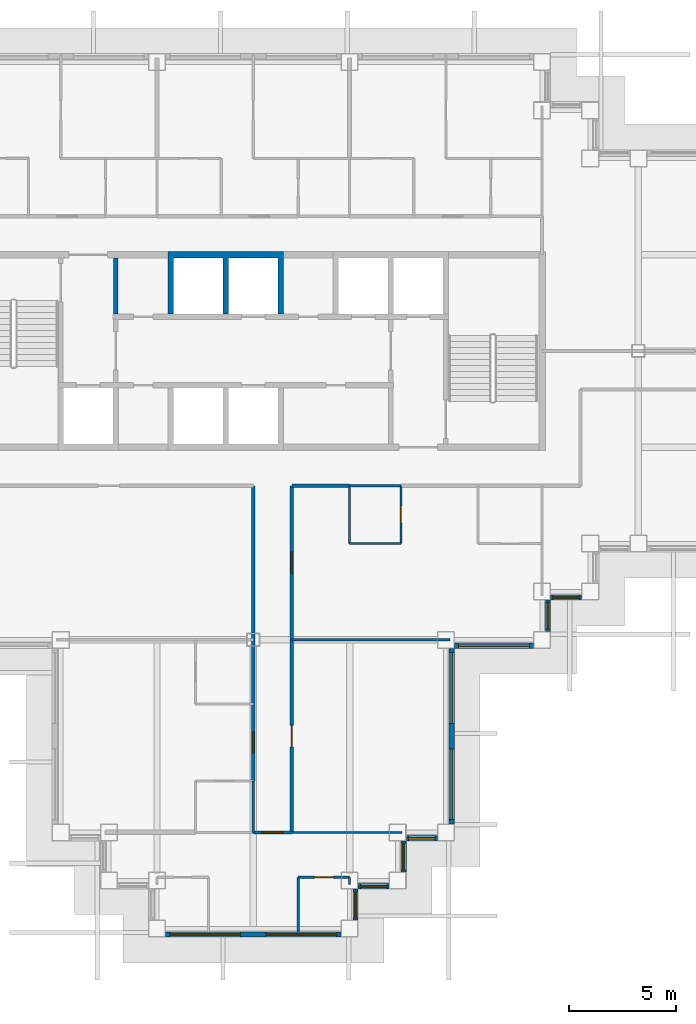
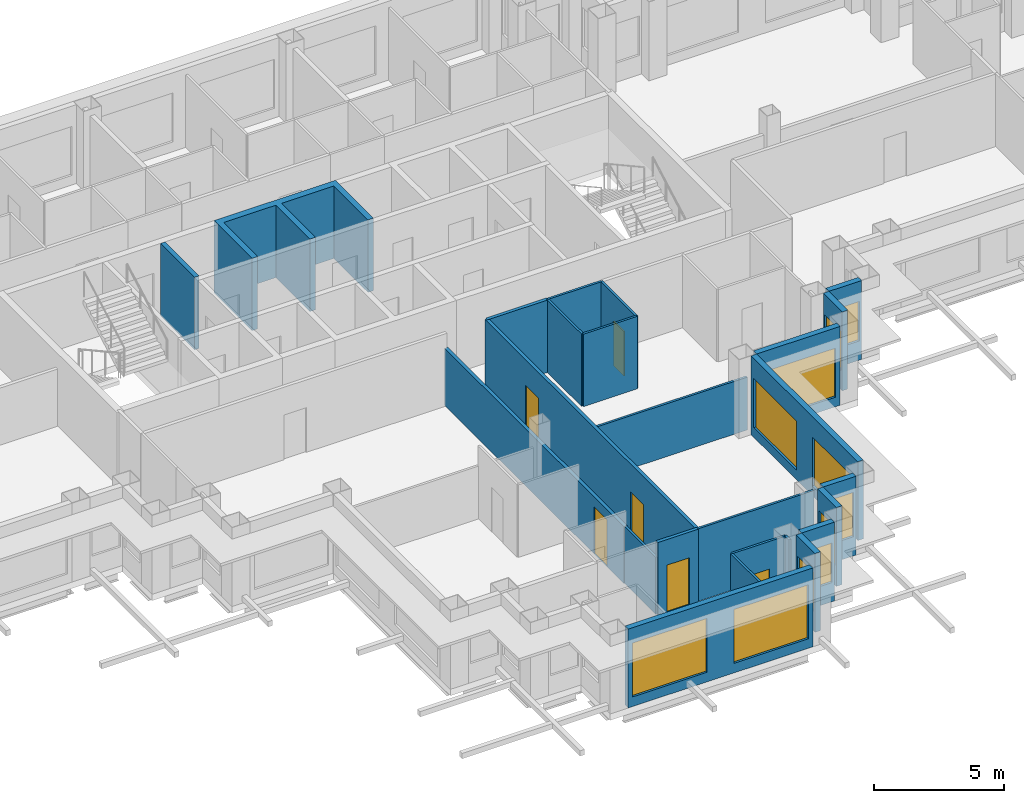
# One storey, part 5 of 14: 25 walls, 11 windows, 6 doors, 17 openings.
"""IFC4 building model written with IfcOpenShell, lengths in metres."""

import ifcopenshell
import ifcopenshell.guid

model = None  # the IFC model being written
_history = None  # IfcOwnerHistory: only IFC2X3 demands one
_inside = {}  # id of a spatial element -> (the spatial element, [elements in it])
_under = {}  # id of a project, library or spatial element -> (it, [spatial elements below it])
_declared = {}  # id of a project -> (the project, [libraries it declares])
_typed = {}  # id of a type object -> (the type object, [elements of that type])
_made_of = {}  # id of a material, layer set ... -> (it, [elements and type objects made of it])


def new_model(schema):
    """Start an empty IFC model of exactly this schema.

    Asked for "IFC4X3", IfcOpenShell would pick the latest addendum, in which some entities
    have other attributes; the version numbers below select the first issue.
    IFC2X3 requires an IfcOwnerHistory on every rooted entity: one is made here for all.
    """
    global model, _history
    if schema == "IFC4X3":
        model = ifcopenshell.file(schema_version=(4, 3, 0, 0))
    else:
        model = ifcopenshell.file(schema=schema)
    _inside.clear()
    _under.clear()
    _declared.clear()
    _typed.clear()
    _made_of.clear()
    _history = None
    if model.schema == "IFC2X3":
        org = make("IfcOrganization", Name="unknown")
        user = make(
            "IfcPersonAndOrganization",
            ThePerson=make("IfcPerson", FamilyName="unknown"),
            TheOrganization=org,
        )
        app = make(
            "IfcApplication",
            ApplicationDeveloper=org,
            Version="unknown",
            ApplicationFullName="unknown",
            ApplicationIdentifier="unknown",
        )
        _history = make(
            "IfcOwnerHistory",
            OwningUser=user,
            OwningApplication=app,
            ChangeAction="ADDED",
            CreationDate=0,
        )
    return model


def make(cls, **values):
    """One entity of the class cls with the attributes given. An attribute that is None is left unset."""
    return model.create_entity(
        cls, **{name: value for name, value in values.items() if value is not None}
    )


def rooted(cls, **values):
    """An entity with a GlobalId (a new one), such as an element, a storey or a relation."""
    return make(cls, GlobalId=ifcopenshell.guid.new(), OwnerHistory=_history, **values)


def si_unit(unit_type, name, prefix=None):
    """IfcSIUnit, for example si_unit("LENGTHUNIT", "METRE", prefix="MILLI")."""
    return make("IfcSIUnit", UnitType=unit_type, Prefix=prefix, Name=name)


def assignment(units):
    """IfcUnitAssignment: the units of a project."""
    return None if units is None else make("IfcUnitAssignment", Units=units)


def point(xyz):
    """IfcCartesianPoint."""
    return None if xyz is None else make("IfcCartesianPoint", Coordinates=xyz)


def direction(xyz):
    """IfcDirection."""
    return None if xyz is None else make("IfcDirection", DirectionRatios=xyz)


def frame(location, z_axis=None, x_axis=None):
    """IfcAxis2Placement3D, a coordinate frame: its origin and axes. An axis left out is left unset."""
    return make(
        "IfcAxis2Placement3D",
        Location=point(location),
        Axis=direction(z_axis),
        RefDirection=direction(x_axis),
    )


def frame_2d(location, x_axis=None):
    """IfcAxis2Placement2D, a coordinate frame in the plane: its origin and x axis."""
    return make(
        "IfcAxis2Placement2D", Location=point(location), RefDirection=direction(x_axis)
    )


def origin():
    """The frame at (0, 0, 0) with its axes left unset."""
    return frame((0.0, 0.0, 0.0))


def place(relative_to, where):
    """IfcLocalPlacement: puts the frame where relative to a parent placement (None: the world)."""
    return make(
        "IfcLocalPlacement", PlacementRelTo=relative_to, RelativePlacement=where
    )


def context(
    kind, dimensions, precision=None, world=None, true_north=None, identifier=None
):
    """IfcGeometricRepresentationContext, for example the 3D "Model" context."""
    return make(
        "IfcGeometricRepresentationContext",
        ContextIdentifier=identifier,
        ContextType=kind,
        CoordinateSpaceDimension=dimensions,
        Precision=precision,
        WorldCoordinateSystem=world,
        TrueNorth=true_north,
    )


def subcontext(parent, identifier, kind, view, scale=None):
    """IfcGeometricRepresentationSubContext, for example "Body" below "Model"."""
    return make(
        "IfcGeometricRepresentationSubContext",
        ContextIdentifier=identifier,
        ContextType=kind,
        ParentContext=parent,
        TargetScale=scale,
        TargetView=view,
    )


def project(units=None, contexts=None):
    """IfcProject with its units and contexts."""
    return rooted(
        "IfcProject",
        Name="project",
        RepresentationContexts=contexts,
        UnitsInContext=assignment(units),
    )


def spatial(cls, under=None, at=None, **own):
    """A site, building, storey or space (cls), placed at a placement, below another one or the project."""
    s = rooted(cls, ObjectPlacement=at, **own)
    if under is not None:
        _under.setdefault(under.id(), (under, []))[1].append(s)
    return s


def polyline(points):
    """IfcPolyline through the points."""
    return make("IfcPolyline", Points=[point(p) for p in points])


def profile(cls, at=None, kind="AREA", **sizes):
    """A parametric profile (cls). Its sizes go by their IFC names, for example OverallWidth=200.0."""
    return make(cls, ProfileType=kind, Position=at, **sizes)


def rectangle(**sizes):
    """IfcRectangleProfileDef."""
    return profile("IfcRectangleProfileDef", **sizes)


def outline(outer, holes=None, kind="AREA"):
    """IfcArbitraryClosedProfileDef: a profile drawn as a closed curve; with holes, ...WithVoids."""
    if holes is None:
        return make("IfcArbitraryClosedProfileDef", ProfileType=kind, OuterCurve=outer)
    return make(
        "IfcArbitraryProfileDefWithVoids",
        ProfileType=kind,
        OuterCurve=outer,
        InnerCurves=holes,
    )


def extrude(swept, where, along, depth):
    """IfcExtrudedAreaSolid: the profile swept, set in the frame where, extruded along a direction by depth."""
    return make(
        "IfcExtrudedAreaSolid",
        SweptArea=swept,
        Position=where,
        ExtrudedDirection=direction(along),
        Depth=depth,
    )


def shape(context_of_items, identifier, shape_type, items):
    """IfcShapeRepresentation: the items that make up one representation, for example the "Body"."""
    return make(
        "IfcShapeRepresentation",
        ContextOfItems=context_of_items,
        RepresentationIdentifier=identifier,
        RepresentationType=shape_type,
        Items=items,
    )


def material(Name=None, Category=None):
    """IfcMaterial."""
    return make("IfcMaterial", Name=Name, Category=Category)


def layer(
    of_material, thickness, ventilated=None, Name=None, Category=None, Priority=None
):
    """IfcMaterialLayer: one layer of a wall or slab, of a material (None: an air gap)."""
    return make(
        "IfcMaterialLayer",
        Material=of_material,
        LayerThickness=thickness,
        IsVentilated=ventilated,
        Name=Name,
        Category=Category,
        Priority=Priority,
    )


def layer_set(layers, Name=None):
    """IfcMaterialLayerSet."""
    return make("IfcMaterialLayerSet", MaterialLayers=layers, LayerSetName=Name)


def made_of(thing, what):
    """Note that an element or type object is made of a material, layer set ...; save() writes the relation."""
    if what is not None:
        _made_of.setdefault(what.id(), (what, []))[1].append(thing)
    return thing


def type_object(cls, material=None, **own):
    """A type object (cls), such as IfcWallType, which elements share."""
    return made_of(rooted(cls, **own), material)


def element(
    cls,
    number,
    at=None,
    inside=None,
    cuts=None,
    type_object=None,
    material=None,
    context=None,
    identifier="Body",
    shape_type=None,
    held_by="IfcProductDefinitionShape",
    body=None,
    shapes=None,
    **own,
):
    """One element of the class cls, such as IfcWall. Its Tag is "e" and its number.

    at: its placement. inside: the storey or other place that contains it. cuts: it is an
    opening in that element (IfcRelVoidsElement). A single representation is given by context,
    identifier, shape_type and body (its items); several are given by shapes. held_by: the class
    of the entity that holds the representations. save() writes the other relations.
    """
    e = rooted(cls, Tag="e%d" % number, ObjectPlacement=at, **own)
    if body is not None:
        shapes = [shape(context, identifier, shape_type, body)]
    if shapes is not None:
        e.Representation = make(held_by, Representations=shapes)
    if inside is not None:
        _inside.setdefault(inside.id(), (inside, []))[1].append(e)
    if cuts is not None:
        rooted(
            "IfcRelVoidsElement", RelatingBuildingElement=cuts, RelatedOpeningElement=e
        )
    if type_object is not None:
        _typed.setdefault(type_object.id(), (type_object, []))[1].append(e)
    return made_of(e, material)


def fill(opening, filler):
    """IfcRelFillsElement: the door or window that sits in an opening."""
    return rooted(
        "IfcRelFillsElement",
        RelatingOpeningElement=opening,
        RelatedBuildingElement=filler,
    )


def aggregate(whole, parts):
    """IfcRelAggregates: a whole, such as a stair, and the parts it consists of."""
    return rooted("IfcRelAggregates", RelatingObject=whole, RelatedObjects=parts)


def save(model, path):
    """Write the relations noted so far, then the file.

    IfcRelAggregates (storeys below a building ...), IfcRelContainedInSpatialStructure (elements
    in a storey), IfcRelDefinesByType, IfcRelAssociatesMaterial and IfcRelDeclares: one each for
    every whole, place, type object, material and project.
    """
    for whole, parts in _under.values():
        aggregate(whole, parts)
    for where, things in _inside.values():
        rooted(
            "IfcRelContainedInSpatialStructure",
            RelatedElements=things,
            RelatingStructure=where,
        )
    for kind, things in _typed.values():
        rooted("IfcRelDefinesByType", RelatedObjects=things, RelatingType=kind)
    for what, things in _made_of.values():
        rooted("IfcRelAssociatesMaterial", RelatedObjects=things, RelatingMaterial=what)
    for by, libraries in _declared.values():
        rooted("IfcRelDeclares", RelatingContext=by, RelatedDefinitions=libraries)
    model.write(path)


model = new_model("IFC4")

# Units and contexts
model_context = context("Model", 3, precision=1e-05, world=origin(), true_north=direction((0.0, 1.0)))
body_context = subcontext(model_context, "Body", "Model", "MODEL_VIEW")
ifc_project = project(units=[si_unit("LENGTHUNIT", "METRE"), si_unit("AREAUNIT", "SQUARE_METRE"), si_unit("VOLUMEUNIT", "CUBIC_METRE"), si_unit("PLANEANGLEUNIT", "RADIAN"), si_unit("MASSUNIT", "GRAM", prefix="KILO")], contexts=[model_context])

# Site, building, storey
site_placement = place(None, origin())
site = spatial("IfcSite", under=ifc_project, at=site_placement, CompositionType="ELEMENT")
building_placement = place(site_placement, origin())
building = spatial("IfcBuilding", under=site, at=building_placement, Name="Caravel Reach Hotel and Residences", CompositionType="ELEMENT")
storey_placement = place(building_placement, frame((0.0, 0.0, 161.699951171875)))
storey = spatial("IfcBuildingStorey", under=building, at=storey_placement, Name="L40", CompositionType="ELEMENT", Elevation=161.699951171875)

# Walls
ifc_material_1 = material(Name="Gypsum board on steel stud", Category="steel")
ifc_layer_1 = layer(ifc_material_1, 0.10009765625)
ifc_layer_set_1 = layer_set([ifc_layer_1], Name="Bathroom pod wall 100 mm")
wall_type_1 = type_object("IfcWallType", Name="Bathroom pod wall 100 mm", PredefinedType="PARTITIONING", material=ifc_layer_set_1)
for number, where, z_axis, x_axis, name in (
    (1, (36.0, 18.0, 0.0), (0.0, 0.0, 1.0), (1.0, 0.0, 0.0), "L40 wall w078"),
    (2, (36.0, 20.699951171875, 0.0), (0.0, 0.0, 1.0), (1.0, 0.0, 0.0), "L40 wall w080"),
):
    element("IfcWall", number, at=place(storey_placement, frame(where, z_axis=z_axis, x_axis=x_axis)), inside=storey, type_object=wall_type_1, Name=name, PredefinedType="PARTITIONING", context=body_context, shape_type="SweptSolid", body=[
        extrude(rectangle(XDim=2.39990234375, YDim=0.10009765625, at=frame_2d((1.199951171875, 0.0))), origin(), (0.0, 0.0, 1.0), 3.400146484375),
    ])
wall_1_placement = place(storey_placement, frame((31.5, 4.5, 0.0), z_axis=(0.0, 0.0, 1.0), x_axis=(0.0, 1.0, 0.0)))
element("IfcWall", 3, at=wall_1_placement, inside=storey, type_object=wall_type_1, Name="L40 wall w097", PredefinedType="PARTITIONING", context=body_context, shape_type="SweptSolid", body=[
    extrude(rectangle(XDim=2.39990234375, YDim=0.10009765625, at=frame_2d((1.199951171875, 0.0))), origin(), (0.0, 0.0, 1.0), 2.679931640625),
])
wall_2_placement = place(storey_placement, frame((36.0, 18.0, 0.0), z_axis=(0.0, 0.0, 1.0), x_axis=(0.0, 1.0, 0.0)))
element("IfcWall", 4, at=wall_2_placement, inside=storey, type_object=wall_type_1, Name="L40 wall w100", PredefinedType="PARTITIONING", context=body_context, shape_type="SweptSolid", body=[
    extrude(rectangle(XDim=2.698974609375, YDim=0.10009765625, at=frame_2d((1.349609375, 0.0))), origin(), (0.0, 0.0, 1.0), 3.400146484375),
])

# Wall, opening, door
wall_3_placement = place(storey_placement, frame((38.39990234375, 18.0, 0.0), z_axis=(0.0, 0.0, 1.0), x_axis=(0.0, 1.0, 0.0)))
wall_3 = element("IfcWall", 5, at=wall_3_placement, inside=storey, type_object=wall_type_1, Name="L40 wall w101", PredefinedType="PARTITIONING", context=body_context, shape_type="SweptSolid", body=[
    extrude(rectangle(XDim=2.699951171875, YDim=0.10009765625, at=frame_2d((1.35009765625, 0.0))), origin(), (0.0, 0.0, 1.0), 3.400146484375),
])
opening_1_placement = place(wall_3_placement, frame((0.949951171875, 0.0, 0.0)))
opening_1 = element("IfcOpeningElement", 6, at=opening_1_placement, cuts=wall_3, Name="Opening D40-034", PredefinedType="OPENING", context=body_context, shape_type="SweptSolid", body=[
    extrude(rectangle(XDim=0.800048828125, YDim=2.10009765625, at=frame_2d((0.39990234375, 1.050048828125))), frame((0.0, 0.06005859375, 0.0), z_axis=(0.0, -1.0, 0.0), x_axis=(1.0, 0.0, 0.0)), (0.0, 0.0, 1.0), 0.1201171875),
])
ifc_material_2 = material(Name="Timber and steel door leaf", Category="steel")
door_type_1 = type_object("IfcDoorType", Name="Bathroom door 800 x 2100", OperationType="SINGLE_SWING_LEFT", PredefinedType="DOOR", material=ifc_material_2)
door_1_placement = place(opening_1_placement, origin())
door_1 = element("IfcDoor", 7, at=door_1_placement, inside=storey, type_object=door_type_1, Name="door D40-034", OperationType="SINGLE_SWING_RIGHT", OverallHeight=2.10009765625, OverallWidth=0.800048828125, PredefinedType="DOOR", context=body_context, shape_type="SweptSolid", body=[
    extrude(rectangle(XDim=0.800048828125, YDim=2.10009765625, at=frame_2d((0.39990234375, 1.050048828125))), frame((0.0, 0.02490234375, 0.0), z_axis=(0.0, -1.0, 0.0), x_axis=(1.0, 0.0, 0.0)), (0.0, 0.0, 1.0), 0.050048828125),
])
fill(opening_1, door_1)

# Walls
ifc_material_3 = material(Name="Autoclaved aerated block wall")
ifc_layer_2 = layer(ifc_material_3, 0.199951171875)
ifc_layer_set_2 = layer_set([ifc_layer_2], Name="Compartment wall 200 mm EI 120")
wall_type_2 = type_object("IfcWallType", Name="Compartment wall 200 mm EI 120", PredefinedType="PARTITIONING", material=ifc_layer_set_2)
wall_4_placement = place(storey_placement, frame((25.071533203125, 28.72509765625, 0.0), z_axis=(0.0, 0.0, 1.0), x_axis=(0.0, 1.0, 0.0)))
element("IfcWall", 8, at=wall_4_placement, inside=storey, type_object=wall_type_2, Name="L40 store partition", PredefinedType="PARTITIONING", context=body_context, shape_type="SweptSolid", body=[
    extrude(rectangle(XDim=2.625, YDim=0.199951171875, at=frame_2d((1.3125, 0.0))), origin(), (0.0, 0.0, 1.0), 3.400146484375),
])
ifc_material_4 = material(Name="Gypsum board on steel stud, fire-rated", Category="steel")
ifc_layer_3 = layer(ifc_material_4, 0.14990234375)
ifc_layer_set_3 = layer_set([ifc_layer_3], Name="Corridor wall 150 mm EI 60")
wall_type_3 = type_object("IfcWallType", Name="Corridor wall 150 mm EI 60", PredefinedType="PARTITIONING", material=ifc_layer_set_3)
wall_5_placement = place(storey_placement, frame((33.301025390625, 20.699951171875, 0.0), z_axis=(0.0, 0.0, 1.0), x_axis=(1.0, 0.0, 0.0)))
element("IfcWall", 9, at=wall_5_placement, inside=storey, type_object=wall_type_3, Name="L40 wall w002", PredefinedType="PARTITIONING", context=body_context, shape_type="SweptSolid", body=[
    extrude(rectangle(XDim=2.697998046875, YDim=0.14990234375, at=frame_2d((1.34912109375, 0.0))), origin(), (0.0, 0.0, 1.0), 3.400146484375),
])

# Wall, opening, door
wall_6_placement = place(storey_placement, frame((31.5, 4.5, 0.0), z_axis=(0.0, 0.0, 1.0), x_axis=(1.0, 0.0, 0.0)))
wall_6 = element("IfcWall", 10, at=wall_6_placement, inside=storey, type_object=wall_type_3, Name="L40 wall w019", PredefinedType="PARTITIONING", context=body_context, shape_type="SweptSolid", body=[
    extrude(rectangle(XDim=1.800048828125, YDim=0.14990234375, at=frame_2d((0.89990234375, 0.0))), origin(), (0.0, 0.0, 1.0), 3.400146484375),
])
opening_2_placement = place(wall_6_placement, frame((0.39990234375, 0.0, 0.0)))
opening_2 = element("IfcOpeningElement", 11, at=opening_2_placement, cuts=wall_6, Name="Opening D40-046", PredefinedType="OPENING", context=body_context, shape_type="SweptSolid", body=[
    extrude(rectangle(XDim=1.0, YDim=2.199951171875, at=frame_2d((0.5, 1.10009765625))), frame((0.0, 0.0849609375, 0.0), z_axis=(0.0, -1.0, 0.0), x_axis=(1.0, 0.0, 0.0)), (0.0, 0.0, 1.0), 0.169921875),
])
ifc_material_5 = material(Name="Steel fire door leaf", Category="steel")
door_type_2 = type_object("IfcDoorType", Name="Flat entrance door 1000 x 2200 EI 60", OperationType="SINGLE_SWING_LEFT", PredefinedType="DOOR", material=ifc_material_5)
door_2_placement = place(opening_2_placement, origin())
door_2 = element("IfcDoor", 12, at=door_2_placement, inside=storey, type_object=door_type_2, Name="door D40-046", OperationType="SINGLE_SWING_RIGHT", OverallHeight=2.199951171875, OverallWidth=1.0, PredefinedType="DOOR", context=body_context, shape_type="SweptSolid", body=[
    extrude(rectangle(XDim=1.0, YDim=2.199951171875, at=frame_2d((0.5, 1.10009765625))), frame((0.0, 0.02490234375, 0.0), z_axis=(0.0, -1.0, 0.0), x_axis=(1.0, 0.0, 0.0)), (0.0, 0.0, 1.0), 0.050048828125),
])
fill(opening_2, door_2)

wall_7_placement = place(storey_placement, frame((31.5, 6.89990234375, 0.0), z_axis=(0.0, 0.0, 1.0), x_axis=(0.0, 1.0, 0.0)))
wall_7 = element("IfcWall", 13, at=wall_7_placement, inside=storey, type_object=wall_type_3, Name="L40 wall w022", PredefinedType="PARTITIONING", context=body_context, shape_type="SweptSolid", body=[
    extrude(rectangle(XDim=13.800048828125, YDim=0.14990234375, at=frame_2d((6.89990234375, 0.0))), origin(), (0.0, 0.0, 1.0), 2.679931640625),
])
opening_3_placement = place(wall_7_placement, frame((1.300048828125, 0.0, 0.0)))
opening_3 = element("IfcOpeningElement", 14, at=opening_3_placement, cuts=wall_7, Name="Opening D40-036", PredefinedType="OPENING", context=body_context, shape_type="SweptSolid", body=[
    extrude(rectangle(XDim=1.0, YDim=2.199951171875, at=frame_2d((0.5, 1.10009765625))), frame((0.0, 0.0849609375, 0.0), z_axis=(0.0, -1.0, 0.0), x_axis=(1.0, 0.0, 0.0)), (0.0, 0.0, 1.0), 0.169921875),
])
door_3_placement = place(opening_3_placement, origin())
door_3 = element("IfcDoor", 15, at=door_3_placement, inside=storey, type_object=door_type_2, Name="door D40-036", OperationType="SINGLE_SWING_LEFT", OverallHeight=2.199951171875, OverallWidth=1.0, PredefinedType="DOOR", context=body_context, shape_type="SweptSolid", body=[
    extrude(rectangle(XDim=1.0, YDim=2.199951171875, at=frame_2d((0.5, 1.10009765625))), frame((0.0, 0.02490234375, 0.0), z_axis=(0.0, -1.0, 0.0), x_axis=(1.0, 0.0, 0.0)), (0.0, 0.0, 1.0), 0.050048828125),
])
fill(opening_3, door_3)

# Wall, openings, doors
wall_8_placement = place(storey_placement, frame((33.300048828125, 4.5, 0.0), z_axis=(0.0, 0.0, 1.0), x_axis=(0.0, 1.0, 0.0)))
wall_8 = element("IfcWall", 16, at=wall_8_placement, inside=storey, type_object=wall_type_3, Name="L40 wall w025", PredefinedType="PARTITIONING", context=body_context, shape_type="SweptSolid", body=[
    extrude(rectangle(XDim=16.198974609375, YDim=0.14990234375, at=frame_2d((8.099609375, 0.0))), origin(), (0.0, 0.0, 1.0), 3.400146484375),
])
opening_4_placement = place(wall_8_placement, frame((12.09912109375, 0.0, 0.0)))
opening_4 = element("IfcOpeningElement", 17, at=opening_4_placement, cuts=wall_8, Name="Opening D40-033", PredefinedType="OPENING", context=body_context, shape_type="SweptSolid", body=[
    extrude(rectangle(XDim=1.0, YDim=2.199951171875, at=frame_2d((0.5, 1.10009765625))), frame((0.0, 0.0849609375, 0.0), z_axis=(0.0, -1.0, 0.0), x_axis=(1.0, 0.0, 0.0)), (0.0, 0.0, 1.0), 0.169921875),
])
opening_5_placement = place(wall_8_placement, frame((4.0, 0.0, 0.0)))
opening_5 = element("IfcOpeningElement", 18, at=opening_5_placement, cuts=wall_8, Name="Opening D40-039", PredefinedType="OPENING", context=body_context, shape_type="SweptSolid", body=[
    extrude(rectangle(XDim=1.0, YDim=2.10009765625, at=frame_2d((0.5, 1.050048828125))), frame((0.0, 0.0849609375, 0.0), z_axis=(0.0, -1.0, 0.0), x_axis=(1.0, 0.0, 0.0)), (0.0, 0.0, 1.0), 0.169921875),
])
ifc_material_6 = material(Name="Steel fire door leaf", Category="steel")
door_type_3 = type_object("IfcDoorType", Name="Fire door 1000 x 2100 EI 60", OperationType="SINGLE_SWING_LEFT", PredefinedType="DOOR", material=ifc_material_6)
door_4_placement = place(opening_5_placement, origin())
door_4 = element("IfcDoor", 19, at=door_4_placement, inside=storey, type_object=door_type_3, Name="door D40-039", OperationType="SINGLE_SWING_RIGHT", OverallHeight=2.10009765625, OverallWidth=1.0, PredefinedType="DOOR", context=body_context, shape_type="SweptSolid", body=[
    extrude(rectangle(XDim=1.0, YDim=2.10009765625, at=frame_2d((0.5, 1.050048828125))), frame((0.0, 0.02490234375, 0.0), z_axis=(0.0, -1.0, 0.0), x_axis=(1.0, 0.0, 0.0)), (0.0, 0.0, 1.0), 0.050048828125),
])
fill(opening_5, door_4)
door_5_placement = place(opening_4_placement, origin())
door_5 = element("IfcDoor", 20, at=door_5_placement, inside=storey, type_object=door_type_2, Name="door D40-033", OperationType="SINGLE_SWING_LEFT", OverallHeight=2.199951171875, OverallWidth=1.0, PredefinedType="DOOR", context=body_context, shape_type="SweptSolid", body=[
    extrude(rectangle(XDim=1.0, YDim=2.199951171875, at=frame_2d((0.5, 1.10009765625))), frame((0.0, 0.02490234375, 0.0), z_axis=(0.0, -1.0, 0.0), x_axis=(1.0, 0.0, 0.0)), (0.0, 0.0, 1.0), 0.050048828125),
])
fill(opening_4, door_5)

# Wall, openings, windows
ifc_material_7 = material(Name="Insulated rainscreen wall, aluminium cladding", Category="aluminium")
ifc_layer_4 = layer(ifc_material_7, 0.25)
ifc_layer_set_4 = layer_set([ifc_layer_4], Name="EW1 Tower rainscreen wall")
wall_type_4 = type_object("IfcWallType", Name="EW1 Tower rainscreen wall", PredefinedType="SOLIDWALL", material=ifc_layer_set_4)
wall_9_placement = place(storey_placement, frame((27.39990234375, -0.27490234375, 0.0), z_axis=(0.0, 0.0, 1.0), x_axis=(1.0, 0.0, 0.0)))
wall_9 = element("IfcWall", 21, at=wall_9_placement, inside=storey, type_object=wall_type_4, Name="External wall L40 S5.1", PredefinedType="SOLIDWALL", context=body_context, shape_type="SweptSolid", body=[
    extrude(rectangle(XDim=8.2001953125, YDim=0.25, at=frame_2d((4.10009765625, 0.0))), origin(), (0.0, 0.0, 1.0), 3.699951171875),
])
opening_6_placement = place(wall_9_placement, frame((0.199951171875, 0.0, 0.449951171875)))
opening_6 = element("IfcOpeningElement", 22, at=opening_6_placement, cuts=wall_9, Name="Opening WN14", PredefinedType="OPENING", context=body_context, shape_type="SweptSolid", body=[
    extrude(rectangle(XDim=3.300048828125, YDim=2.530029296875, at=frame_2d((1.64990234375, 1.26513671875))), frame((0.0, 0.135009765625, 0.0), z_axis=(0.0, -1.0, 0.0), x_axis=(1.0, 0.0, 0.0)), (0.0, 0.0, 1.0), 0.27001953125),
])
opening_7_placement = place(wall_9_placement, frame((4.699951171875, 0.0, 0.449951171875)))
opening_7 = element("IfcOpeningElement", 23, at=opening_7_placement, cuts=wall_9, Name="Opening WN14", PredefinedType="OPENING", context=body_context, shape_type="SweptSolid", body=[
    extrude(rectangle(XDim=3.300048828125, YDim=2.530029296875, at=frame_2d((1.64990234375, 1.26513671875))), frame((0.0, 0.135009765625, 0.0), z_axis=(0.0, -1.0, 0.0), x_axis=(1.0, 0.0, 0.0)), (0.0, 0.0, 1.0), 0.27001953125),
])
ifc_material_8 = material(Name="Dark low-e glazing in black aluminium frame", Category="aluminium")
window_type_1 = type_object("IfcWindowType", Name="Residence living window 3300 x 2530", PartitioningType="SINGLE_PANEL", PredefinedType="WINDOW", material=ifc_material_8)
window_1_placement = place(opening_6_placement, origin())
window_1 = element("IfcWindow", 24, at=window_1_placement, inside=storey, type_object=window_type_1, Name="Window L40 S5.1.1", OverallHeight=2.530029296875, OverallWidth=3.300048828125, PartitioningType="SINGLE_PANEL", PredefinedType="WINDOW", context=body_context, shape_type="SweptSolid", body=[
    extrude(rectangle(XDim=3.300048828125, YDim=2.530029296875, at=frame_2d((1.64990234375, 1.26513671875))), frame((0.0, 0.030029296875, 0.0), z_axis=(0.0, -1.0, 0.0), x_axis=(1.0, 0.0, 0.0)), (0.0, 0.0, 1.0), 0.06005859375),
])
fill(opening_6, window_1)
window_2_placement = place(opening_7_placement, origin())
window_2 = element("IfcWindow", 25, at=window_2_placement, inside=storey, type_object=window_type_1, Name="Window L40 S5.1.2", OverallHeight=2.530029296875, OverallWidth=3.300048828125, PartitioningType="SINGLE_PANEL", PredefinedType="WINDOW", context=body_context, shape_type="SweptSolid", body=[
    extrude(rectangle(XDim=3.300048828125, YDim=2.530029296875, at=frame_2d((1.64990234375, 1.26513671875))), frame((0.0, 0.030029296875, 0.0), z_axis=(0.0, -1.0, 0.0), x_axis=(1.0, 0.0, 0.0)), (0.0, 0.0, 1.0), 0.06005859375),
])
fill(opening_7, window_2)

# Wall, opening, window
wall_10_placement = place(storey_placement, frame((36.27490234375, 0.39990234375, 0.0), z_axis=(0.0, 0.0, 1.0), x_axis=(0.0, 1.0, 0.0)))
wall_10 = element("IfcWall", 26, at=wall_10_placement, inside=storey, type_object=wall_type_4, Name="External wall L40 E6.1", PredefinedType="SOLIDWALL", context=body_context, shape_type="SweptSolid", body=[
    extrude(rectangle(XDim=1.4501953125, YDim=0.25, at=frame_2d((0.72509765625, 0.0))), origin(), (0.0, 0.0, 1.0), 3.699951171875),
])
opening_8_placement = place(wall_10_placement, frame((0.10009765625, 0.0, 0.89990234375)))
opening_8 = element("IfcOpeningElement", 27, at=opening_8_placement, cuts=wall_10, Name="Opening WN13", PredefinedType="OPENING", context=body_context, shape_type="SweptSolid", body=[
    extrude(rectangle(XDim=1.25, YDim=1.85009765625, at=frame_2d((0.625, 0.925048828125))), frame((0.0, 0.135009765625, 0.0), z_axis=(0.0, -1.0, 0.0), x_axis=(1.0, 0.0, 0.0)), (0.0, 0.0, 1.0), 0.27001953125),
])
ifc_material_9 = material(Name="Dark low-e glazing in black aluminium frame", Category="aluminium")
window_type_2 = type_object("IfcWindowType", Name="Residence bedroom window 1250 x 1850", PartitioningType="SINGLE_PANEL", PredefinedType="WINDOW", material=ifc_material_9)
window_3_placement = place(opening_8_placement, origin())
window_3 = element("IfcWindow", 28, at=window_3_placement, inside=storey, type_object=window_type_2, Name="Window L40 E6.1.1", OverallHeight=1.85009765625, OverallWidth=1.25, PartitioningType="SINGLE_PANEL", PredefinedType="WINDOW", context=body_context, shape_type="SweptSolid", body=[
    extrude(rectangle(XDim=1.25, YDim=1.85009765625, at=frame_2d((0.625, 0.925048828125))), frame((0.0, 0.030029296875, 0.0), z_axis=(0.0, -1.0, 0.0), x_axis=(1.0, 0.0, 0.0)), (0.0, 0.0, 1.0), 0.06005859375),
])
fill(opening_8, window_3)

wall_11_placement = place(storey_placement, frame((36.39990234375, 1.97509765625, 0.0), z_axis=(0.0, 0.0, 1.0), x_axis=(1.0, 0.0, 0.0)))
wall_11 = element("IfcWall", 29, at=wall_11_placement, inside=storey, type_object=wall_type_4, Name="External wall L40 S7.1", PredefinedType="SOLIDWALL", context=body_context, shape_type="SweptSolid", body=[
    extrude(rectangle(XDim=1.4501953125, YDim=0.25, at=frame_2d((0.72509765625, 0.0))), origin(), (0.0, 0.0, 1.0), 3.699951171875),
])
opening_9_placement = place(wall_11_placement, frame((0.10009765625, 0.0, 0.89990234375)))
opening_9 = element("IfcOpeningElement", 30, at=opening_9_placement, cuts=wall_11, Name="Opening WN13", PredefinedType="OPENING", context=body_context, shape_type="SweptSolid", body=[
    extrude(rectangle(XDim=1.25, YDim=1.85009765625, at=frame_2d((0.625, 0.925048828125))), frame((0.0, 0.135009765625, 0.0), z_axis=(0.0, -1.0, 0.0), x_axis=(1.0, 0.0, 0.0)), (0.0, 0.0, 1.0), 0.27001953125),
])
window_4_placement = place(opening_9_placement, origin())
window_4 = element("IfcWindow", 31, at=window_4_placement, inside=storey, type_object=window_type_2, Name="Window L40 S7.1.1", OverallHeight=1.85009765625, OverallWidth=1.25, PartitioningType="SINGLE_PANEL", PredefinedType="WINDOW", context=body_context, shape_type="SweptSolid", body=[
    extrude(rectangle(XDim=1.25, YDim=1.85009765625, at=frame_2d((0.625, 0.925048828125))), frame((0.0, 0.030029296875, 0.0), z_axis=(0.0, -1.0, 0.0), x_axis=(1.0, 0.0, 0.0)), (0.0, 0.0, 1.0), 0.06005859375),
])
fill(opening_9, window_4)

wall_12_placement = place(storey_placement, frame((38.52490234375, 2.64990234375, 0.0), z_axis=(0.0, 0.0, 1.0), x_axis=(0.0, 1.0, 0.0)))
wall_12 = element("IfcWall", 32, at=wall_12_placement, inside=storey, type_object=wall_type_4, Name="External wall L40 E8.1", PredefinedType="SOLIDWALL", context=body_context, shape_type="SweptSolid", body=[
    extrude(rectangle(XDim=1.4501953125, YDim=0.25, at=frame_2d((0.72509765625, 0.0))), origin(), (0.0, 0.0, 1.0), 3.699951171875),
])
opening_10_placement = place(wall_12_placement, frame((0.10009765625, 0.0, 0.89990234375)))
opening_10 = element("IfcOpeningElement", 33, at=opening_10_placement, cuts=wall_12, Name="Opening WN13", PredefinedType="OPENING", context=body_context, shape_type="SweptSolid", body=[
    extrude(rectangle(XDim=1.25, YDim=1.85009765625, at=frame_2d((0.625, 0.925048828125))), frame((0.0, 0.135009765625, 0.0), z_axis=(0.0, -1.0, 0.0), x_axis=(1.0, 0.0, 0.0)), (0.0, 0.0, 1.0), 0.27001953125),
])
window_5_placement = place(opening_10_placement, origin())
window_5 = element("IfcWindow", 34, at=window_5_placement, inside=storey, type_object=window_type_2, Name="Window L40 E8.1.1", OverallHeight=1.85009765625, OverallWidth=1.25, PartitioningType="SINGLE_PANEL", PredefinedType="WINDOW", context=body_context, shape_type="SweptSolid", body=[
    extrude(rectangle(XDim=1.25, YDim=1.85009765625, at=frame_2d((0.625, 0.925048828125))), frame((0.0, 0.030029296875, 0.0), z_axis=(0.0, -1.0, 0.0), x_axis=(1.0, 0.0, 0.0)), (0.0, 0.0, 1.0), 0.06005859375),
])
fill(opening_10, window_5)

wall_13_placement = place(storey_placement, frame((38.64990234375, 4.22509765625, 0.0), z_axis=(0.0, 0.0, 1.0), x_axis=(1.0, 0.0, 0.0)))
wall_13 = element("IfcWall", 35, at=wall_13_placement, inside=storey, type_object=wall_type_4, Name="External wall L40 S9.1", PredefinedType="SOLIDWALL", context=body_context, shape_type="SweptSolid", body=[
    extrude(rectangle(XDim=1.4501953125, YDim=0.25, at=frame_2d((0.72509765625, 0.0))), origin(), (0.0, 0.0, 1.0), 3.699951171875),
])
opening_11_placement = place(wall_13_placement, frame((0.10009765625, 0.0, 0.89990234375)))
opening_11 = element("IfcOpeningElement", 36, at=opening_11_placement, cuts=wall_13, Name="Opening WN12", PredefinedType="OPENING", context=body_context, shape_type="SweptSolid", body=[
    extrude(rectangle(XDim=1.25, YDim=2.080078125, at=frame_2d((0.625, 1.0400390625))), frame((0.0, 0.135009765625, 0.0), z_axis=(0.0, -1.0, 0.0), x_axis=(1.0, 0.0, 0.0)), (0.0, 0.0, 1.0), 0.27001953125),
])
ifc_material_10 = material(Name="Dark low-e glazing in black aluminium frame", Category="aluminium")
window_type_3 = type_object("IfcWindowType", Name="Residence bedroom window 1250 x 2080", PartitioningType="SINGLE_PANEL", PredefinedType="WINDOW", material=ifc_material_10)
window_6_placement = place(opening_11_placement, origin())
window_6 = element("IfcWindow", 37, at=window_6_placement, inside=storey, type_object=window_type_3, Name="Window L40 S9.1.1", OverallHeight=2.080078125, OverallWidth=1.25, PartitioningType="SINGLE_PANEL", PredefinedType="WINDOW", context=body_context, shape_type="SweptSolid", body=[
    extrude(rectangle(XDim=1.25, YDim=2.080078125, at=frame_2d((0.625, 1.0400390625))), frame((0.0, 0.030029296875, 0.0), z_axis=(0.0, -1.0, 0.0), x_axis=(1.0, 0.0, 0.0)), (0.0, 0.0, 1.0), 0.06005859375),
])
fill(opening_11, window_6)

# Wall, openings, windows
wall_14_placement = place(storey_placement, frame((40.77490234375, 4.89990234375, 0.0), z_axis=(0.0, 0.0, 1.0), x_axis=(0.0, 1.0, 0.0)))
wall_14 = element("IfcWall", 38, at=wall_14_placement, inside=storey, type_object=wall_type_4, Name="External wall L40 E10.1", PredefinedType="SOLIDWALL", context=body_context, shape_type="SweptSolid", body=[
    extrude(rectangle(XDim=8.2001953125, YDim=0.25, at=frame_2d((4.10009765625, 0.0))), origin(), (0.0, 0.0, 1.0), 3.699951171875),
])
opening_12_placement = place(wall_14_placement, frame((0.199951171875, 0.0, 0.449951171875)))
opening_12 = element("IfcOpeningElement", 39, at=opening_12_placement, cuts=wall_14, Name="Opening WN15", PredefinedType="OPENING", context=body_context, shape_type="SweptSolid", body=[
    extrude(rectangle(XDim=3.300048828125, YDim=2.300048828125, at=frame_2d((1.64990234375, 1.14990234375))), frame((0.0, 0.135009765625, 0.0), z_axis=(0.0, -1.0, 0.0), x_axis=(1.0, 0.0, 0.0)), (0.0, 0.0, 1.0), 0.27001953125),
])
opening_13_placement = place(wall_14_placement, frame((4.699951171875, 0.0, 0.449951171875)))
opening_13 = element("IfcOpeningElement", 40, at=opening_13_placement, cuts=wall_14, Name="Opening WN15", PredefinedType="OPENING", context=body_context, shape_type="SweptSolid", body=[
    extrude(rectangle(XDim=3.300048828125, YDim=2.300048828125, at=frame_2d((1.64990234375, 1.14990234375))), frame((0.0, 0.135009765625, 0.0), z_axis=(0.0, -1.0, 0.0), x_axis=(1.0, 0.0, 0.0)), (0.0, 0.0, 1.0), 0.27001953125),
])
ifc_material_11 = material(Name="Dark low-e glazing in black aluminium frame", Category="aluminium")
window_type_4 = type_object("IfcWindowType", Name="Residence living window 3300 x 2300", PartitioningType="SINGLE_PANEL", PredefinedType="WINDOW", material=ifc_material_11)
window_7_placement = place(opening_12_placement, origin())
window_7 = element("IfcWindow", 41, at=window_7_placement, inside=storey, type_object=window_type_4, Name="Window L40 E10.1.1", OverallHeight=2.300048828125, OverallWidth=3.300048828125, PartitioningType="SINGLE_PANEL", PredefinedType="WINDOW", context=body_context, shape_type="SweptSolid", body=[
    extrude(rectangle(XDim=3.300048828125, YDim=2.300048828125, at=frame_2d((1.64990234375, 1.14990234375))), frame((0.0, 0.030029296875, 0.0), z_axis=(0.0, -1.0, 0.0), x_axis=(1.0, 0.0, 0.0)), (0.0, 0.0, 1.0), 0.06005859375),
])
fill(opening_12, window_7)
window_8_placement = place(opening_13_placement, origin())
window_8 = element("IfcWindow", 42, at=window_8_placement, inside=storey, type_object=window_type_4, Name="Window L40 E10.1.2", OverallHeight=2.300048828125, OverallWidth=3.300048828125, PartitioningType="SINGLE_PANEL", PredefinedType="WINDOW", context=body_context, shape_type="SweptSolid", body=[
    extrude(rectangle(XDim=3.300048828125, YDim=2.300048828125, at=frame_2d((1.64990234375, 1.14990234375))), frame((0.0, 0.030029296875, 0.0), z_axis=(0.0, -1.0, 0.0), x_axis=(1.0, 0.0, 0.0)), (0.0, 0.0, 1.0), 0.06005859375),
])
fill(opening_13, window_8)

# Wall, opening, window
wall_15_placement = place(storey_placement, frame((40.89990234375, 13.22509765625, 0.0), z_axis=(0.0, 0.0, 1.0), x_axis=(1.0, 0.0, 0.0)))
wall_15 = element("IfcWall", 43, at=wall_15_placement, inside=storey, type_object=wall_type_4, Name="External wall L40 S11.1", PredefinedType="SOLIDWALL", context=body_context, shape_type="SweptSolid", body=[
    extrude(rectangle(XDim=3.7001953125, YDim=0.25, at=frame_2d((1.85009765625, 0.0))), origin(), (0.0, 0.0, 1.0), 3.699951171875),
])
opening_14_placement = place(wall_15_placement, frame((0.199951171875, 0.0, 0.449951171875)))
opening_14 = element("IfcOpeningElement", 44, at=opening_14_placement, cuts=wall_15, Name="Opening WN15", PredefinedType="OPENING", context=body_context, shape_type="SweptSolid", body=[
    extrude(rectangle(XDim=3.300048828125, YDim=2.300048828125, at=frame_2d((1.64990234375, 1.14990234375))), frame((0.0, 0.135009765625, 0.0), z_axis=(0.0, -1.0, 0.0), x_axis=(1.0, 0.0, 0.0)), (0.0, 0.0, 1.0), 0.27001953125),
])
window_9_placement = place(opening_14_placement, origin())
window_9 = element("IfcWindow", 45, at=window_9_placement, inside=storey, type_object=window_type_4, Name="Window L40 S11.1.1", OverallHeight=2.300048828125, OverallWidth=3.300048828125, PartitioningType="SINGLE_PANEL", PredefinedType="WINDOW", context=body_context, shape_type="SweptSolid", body=[
    extrude(rectangle(XDim=3.300048828125, YDim=2.300048828125, at=frame_2d((1.64990234375, 1.14990234375))), frame((0.0, 0.030029296875, 0.0), z_axis=(0.0, -1.0, 0.0), x_axis=(1.0, 0.0, 0.0)), (0.0, 0.0, 1.0), 0.06005859375),
])
fill(opening_14, window_9)

wall_16_placement = place(storey_placement, frame((45.27490234375, 13.89990234375, 0.0), z_axis=(0.0, 0.0, 1.0), x_axis=(0.0, 1.0, 0.0)))
wall_16 = element("IfcWall", 46, at=wall_16_placement, inside=storey, type_object=wall_type_4, Name="External wall L40 E12.1", PredefinedType="SOLIDWALL", context=body_context, shape_type="SweptSolid", body=[
    extrude(rectangle(XDim=1.4501953125, YDim=0.25, at=frame_2d((0.72509765625, 0.0))), origin(), (0.0, 0.0, 1.0), 3.699951171875),
])
opening_15_placement = place(wall_16_placement, frame((0.10009765625, 0.0, 0.89990234375)))
opening_15 = element("IfcOpeningElement", 47, at=opening_15_placement, cuts=wall_16, Name="Opening WN13", PredefinedType="OPENING", context=body_context, shape_type="SweptSolid", body=[
    extrude(rectangle(XDim=1.25, YDim=1.85009765625, at=frame_2d((0.625, 0.925048828125))), frame((0.0, 0.135009765625, 0.0), z_axis=(0.0, -1.0, 0.0), x_axis=(1.0, 0.0, 0.0)), (0.0, 0.0, 1.0), 0.27001953125),
])
window_10_placement = place(opening_15_placement, origin())
window_10 = element("IfcWindow", 48, at=window_10_placement, inside=storey, type_object=window_type_2, Name="Window L40 E12.1.1", OverallHeight=1.85009765625, OverallWidth=1.25, PartitioningType="SINGLE_PANEL", PredefinedType="WINDOW", context=body_context, shape_type="SweptSolid", body=[
    extrude(rectangle(XDim=1.25, YDim=1.85009765625, at=frame_2d((0.625, 0.925048828125))), frame((0.0, 0.030029296875, 0.0), z_axis=(0.0, -1.0, 0.0), x_axis=(1.0, 0.0, 0.0)), (0.0, 0.0, 1.0), 0.06005859375),
])
fill(opening_15, window_10)

wall_17_placement = place(storey_placement, frame((45.39990234375, 15.47509765625, 0.0), z_axis=(0.0, 0.0, 1.0), x_axis=(1.0, 0.0, 0.0)))
wall_17 = element("IfcWall", 49, at=wall_17_placement, inside=storey, type_object=wall_type_4, Name="External wall L40 S13.1", PredefinedType="SOLIDWALL", context=body_context, shape_type="SweptSolid", body=[
    extrude(rectangle(XDim=1.4501953125, YDim=0.25, at=frame_2d((0.72509765625, 0.0))), origin(), (0.0, 0.0, 1.0), 3.699951171875),
])
opening_16_placement = place(wall_17_placement, frame((0.10009765625, 0.0, 0.89990234375)))
opening_16 = element("IfcOpeningElement", 50, at=opening_16_placement, cuts=wall_17, Name="Opening WN13", PredefinedType="OPENING", context=body_context, shape_type="SweptSolid", body=[
    extrude(rectangle(XDim=1.25, YDim=1.85009765625, at=frame_2d((0.625, 0.925048828125))), frame((0.0, 0.135009765625, 0.0), z_axis=(0.0, -1.0, 0.0), x_axis=(1.0, 0.0, 0.0)), (0.0, 0.0, 1.0), 0.27001953125),
])
window_11_placement = place(opening_16_placement, origin())
window_11 = element("IfcWindow", 51, at=window_11_placement, inside=storey, type_object=window_type_2, Name="Window L40 S13.1.1", OverallHeight=1.85009765625, OverallWidth=1.25, PartitioningType="SINGLE_PANEL", PredefinedType="WINDOW", context=body_context, shape_type="SweptSolid", body=[
    extrude(rectangle(XDim=1.25, YDim=1.85009765625, at=frame_2d((0.625, 0.925048828125))), frame((0.0, 0.030029296875, 0.0), z_axis=(0.0, -1.0, 0.0), x_axis=(1.0, 0.0, 0.0)), (0.0, 0.0, 1.0), 0.06005859375),
])
fill(opening_16, window_11)

# Wall
ifc_material_12 = material(Name="Gypsum board on steel stud", Category="steel")
ifc_layer_5 = layer(ifc_material_12, 0.10009765625)
ifc_layer_set_5 = layer_set([ifc_layer_5], Name="Partition 100 mm")
wall_type_5 = type_object("IfcWallType", Name="Partition 100 mm", PredefinedType="PARTITIONING", material=ifc_layer_set_5)
wall_18_placement = place(storey_placement, frame((33.301025390625, 13.5, 0.0), z_axis=(0.0, 0.0, 1.0), x_axis=(1.0, 0.0, 0.0)))
element("IfcWall", 52, at=wall_18_placement, inside=storey, type_object=wall_type_5, Name="L40 wall w032", PredefinedType="PARTITIONING", context=body_context, shape_type="SweptSolid", body=[
    extrude(rectangle(XDim=7.388916015625, YDim=0.10009765625, at=frame_2d((3.6943359375, 0.0))), origin(), (0.0, 0.0, 1.0), 2.47998046875),
])

# Wall, opening, door
wall_19_placement = place(storey_placement, frame((33.60009765625, 2.39990234375, 0.0), z_axis=(0.0, 0.0, 1.0), x_axis=(1.0, 0.0, 0.0)))
wall_19 = element("IfcWall", 53, at=wall_19_placement, inside=storey, type_object=wall_type_5, Name="L40 wall w037", PredefinedType="PARTITIONING", context=body_context, shape_type="SweptSolid", body=[
    extrude(rectangle(XDim=2.39990234375, YDim=0.10009765625, at=frame_2d((1.199951171875, 0.0))), origin(), (0.0, 0.0, 1.0), 3.400146484375),
])
opening_17_placement = place(wall_19_placement, frame((0.75, 0.0, 0.0)))
opening_17 = element("IfcOpeningElement", 54, at=opening_17_placement, cuts=wall_19, Name="Opening D40-048", PredefinedType="OPENING", context=body_context, shape_type="SweptSolid", body=[
    extrude(rectangle(XDim=0.89990234375, YDim=2.10009765625, at=frame_2d((0.449951171875, 1.050048828125))), frame((0.0, 0.06005859375, 0.0), z_axis=(0.0, -1.0, 0.0), x_axis=(1.0, 0.0, 0.0)), (0.0, 0.0, 1.0), 0.1201171875),
])
ifc_material_13 = material(Name="Timber and steel door leaf", Category="steel")
door_type_4 = type_object("IfcDoorType", Name="Door 900 x 2100 timber", OperationType="SINGLE_SWING_LEFT", PredefinedType="DOOR", material=ifc_material_13)
door_6_placement = place(opening_17_placement, origin())
door_6 = element("IfcDoor", 55, at=door_6_placement, inside=storey, type_object=door_type_4, Name="door D40-048", OperationType="SINGLE_SWING_RIGHT", OverallHeight=2.10009765625, OverallWidth=0.89990234375, PredefinedType="DOOR", context=body_context, shape_type="SweptSolid", body=[
    extrude(rectangle(XDim=0.89990234375, YDim=2.10009765625, at=frame_2d((0.449951171875, 1.050048828125))), frame((0.0, 0.02490234375, 0.0), z_axis=(0.0, -1.0, 0.0), x_axis=(1.0, 0.0, 0.0)), (0.0, 0.0, 1.0), 0.050048828125),
])
fill(opening_17, door_6)

# Walls
wall_20_placement = place(storey_placement, frame((33.300048828125, 4.5, 0.0), z_axis=(0.0, 0.0, 1.0), x_axis=(1.0, 0.0, 0.0)))
element("IfcWall", 56, at=wall_20_placement, inside=storey, type_object=wall_type_5, Name="L40 wall w050", PredefinedType="PARTITIONING", context=body_context, shape_type="SweptSolid", body=[
    extrude(rectangle(XDim=5.139892578125, YDim=0.10009765625, at=frame_2d((2.56982421875, 0.0))), origin(), (0.0, 0.0, 1.0), 3.400146484375),
])
wall_21_placement = place(storey_placement, frame((33.60009765625, -0.14990234375, 0.0), z_axis=(0.0, 0.0, 1.0), x_axis=(0.0, 1.0, 0.0)))
element("IfcWall", 57, at=wall_21_placement, inside=storey, type_object=wall_type_5, Name="L40 wall w061", PredefinedType="PARTITIONING", context=body_context, shape_type="SweptSolid", body=[
    extrude(rectangle(XDim=2.5498046875, YDim=0.10009765625, at=frame_2d((1.27490234375, 0.0))), origin(), (0.0, 0.0, 1.0), 3.400146484375),
])
wall_22_placement = place(storey_placement, frame((36.0, 2.06005859375, 0.0), z_axis=(0.0, 0.0, 1.0), x_axis=(0.0, 1.0, 0.0)))
element("IfcWall", 58, at=wall_22_placement, inside=storey, type_object=wall_type_5, Name="L40 wall w062", PredefinedType="PARTITIONING", context=body_context, shape_type="SweptSolid", body=[
    extrude(rectangle(XDim=0.33984375, YDim=0.10009765625, at=frame_2d((0.169921875, 0.0))), origin(), (0.0, 0.0, 1.0), 3.400146484375),
])
ifc_material_14 = material(Name="Concrete C60", Category="concrete")
ifc_layer_6 = layer(ifc_material_14, 0.25)
ifc_layer_set_6 = layer_set([ifc_layer_6], Name="Shaft wall 250 mm EI 120")
wall_type_6 = type_object("IfcWallType", Name="Shaft wall 250 mm EI 120", PredefinedType="SHEAR", material=ifc_layer_set_6)
wall_23_placement = place(storey_placement, origin())
element("IfcWall", 59, at=wall_23_placement, inside=storey, type_object=wall_type_6, Name="L40 lift shaft wall N1", PredefinedType="SHEAR", context=body_context, shape_type="SweptSolid", body=[
    extrude(outline(polyline([(27.517822265625, 28.72509765625), (27.767822265625, 28.72509765625), (27.767822265625, 31.35009765625), (30.08935546875, 31.35009765625), (30.08935546875, 28.72509765625), (30.33935546875, 28.72509765625), (30.33935546875, 31.35009765625), (32.66064453125, 31.35009765625), (32.66064453125, 28.72509765625), (32.91064453125, 28.72509765625), (32.91064453125, 31.64990234375), (27.517822265625, 31.64990234375), (27.517822265625, 28.72509765625)])), origin(), (0.0, 0.0, 1.0), 3.400146484375),
])

save(model, "model.ifc")
